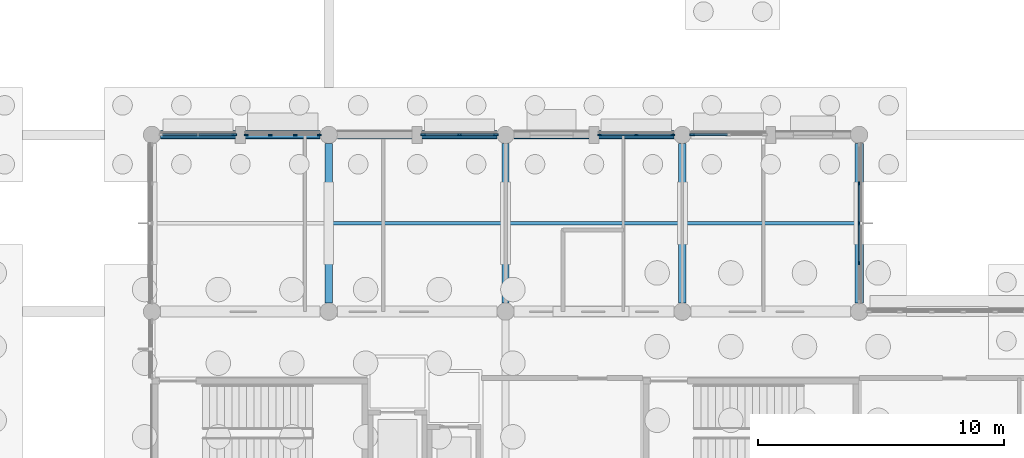
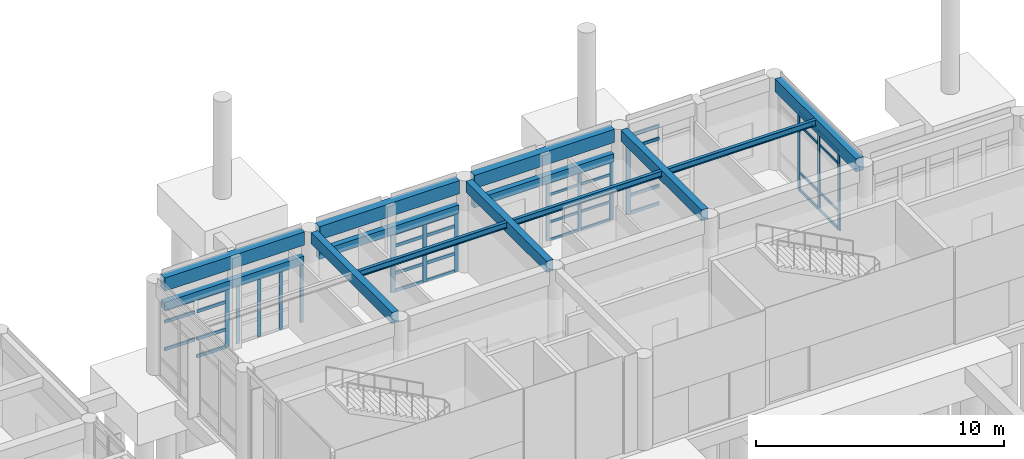
# One storey, part 34 of 103: 50 members, 13 beams, 6 elements without a shape of their own.
"""IFC4 building model written with IfcOpenShell, lengths in metres."""

from ifc_helpers import new_model, si_unit, direction, frame, origin, origin_2d, place, context, subcontext, project, spatial, rectangle, i_section, extrude, material, layer, layer_set, material_profile, profile_set, type_object, element, aggregate, save


model = new_model("IFC4")

# Units and contexts
model_context = context("Model", 3, precision=1e-05, world=origin(), true_north=direction((0.0, 1.0)))
body_context = subcontext(model_context, "Body", "Model", "MODEL_VIEW")
ifc_project = project(units=[si_unit("LENGTHUNIT", "METRE"), si_unit("AREAUNIT", "SQUARE_METRE"), si_unit("VOLUMEUNIT", "CUBIC_METRE"), si_unit("PLANEANGLEUNIT", "RADIAN"), si_unit("MASSUNIT", "GRAM", prefix="KILO")], contexts=[model_context])

# Site, building, storey
site_placement = place(None, origin())
site = spatial("IfcSite", under=ifc_project, at=site_placement, CompositionType="ELEMENT")
building_placement = place(site_placement, origin())
building = spatial("IfcBuilding", under=site, at=building_placement, Name="Namkhue Oval Health Centre", CompositionType="ELEMENT")
storey_placement = place(building_placement, origin())
storey = spatial("IfcBuildingStorey", under=building, at=storey_placement, Name="L00", CompositionType="ELEMENT", Elevation=0.0)

# Curtain wall, members
ifc_material_1 = material(Name="Anodised aluminium EN AW-6063 T6", Category="aluminium")
ifc_layer_1 = layer(ifc_material_1, 0.159912109375)
ifc_layer_set_1 = layer_set([ifc_layer_1], Name="Anodised aluminium EN AW-6063 T6")
curtain_wall_type_1 = type_object("IfcCurtainWallType", Name="UNITISED CURTAIN WALL M1500", PredefinedType="NOTDEFINED", material=ifc_layer_set_1)
curtain_wall_1_placement = place(storey_placement, origin())
curtain_wall_1 = element("IfcCurtainWall", 1, at=curtain_wall_1_placement, inside=storey, type_object=curtain_wall_type_1, Name="Volume V3 L00 Unitised Curtain Wall 93", PredefinedType="NOTDEFINED")
ifc_material_profile_1 = material_profile(ifc_material_1, rectangle(XDim=0.06494140625, YDim=0.159912109375, at=origin_2d()), Name="ALU 65x160")
ifc_profile_set_1 = profile_set([ifc_material_profile_1], Name="Anodised aluminium EN AW-6063 T6")
member_type_1 = type_object("IfcMemberType", Name="CURTAIN WALL MULLION 65X160", PredefinedType="MULLION", material=ifc_profile_set_1)
member_1_placement = place(storey_placement, frame((122.39990234375, 99.179931640625, 0.0), z_axis=(0.0, 0.0, 1.0), x_axis=(-1.0, 0.0, 0.0)))
member_1 = element("IfcMember", 2, at=member_1_placement, type_object=member_type_1, Name="CW-03 mullion 2", PredefinedType="MULLION", context=body_context, shape_type="SweptSolid", body=[
    extrude(rectangle(XDim=0.06494140625, YDim=0.159912109375, at=origin_2d()), origin(), (0.0, 0.0, 1.0), 3.885009765625),
])
member_2_placement = place(storey_placement, frame((122.39990234375, 100.800048828125, 0.0), z_axis=(0.0, 0.0, 1.0), x_axis=(-1.0, 0.0, 0.0)))
member_2 = element("IfcMember", 3, at=member_2_placement, type_object=member_type_1, Name="CW-03 mullion 3", PredefinedType="MULLION", context=body_context, shape_type="SweptSolid", body=[
    extrude(rectangle(XDim=0.06494140625, YDim=0.159912109375, at=origin_2d()), origin(), (0.0, 0.0, 1.0), 3.885009765625),
])
member_3_placement = place(storey_placement, frame((122.39990234375, 102.419921875, 0.0), z_axis=(0.0, 0.0, 1.0), x_axis=(-1.0, 0.0, 0.0)))
member_3 = element("IfcMember", 4, at=member_3_placement, type_object=member_type_1, Name="CW-03 mullion 4", PredefinedType="MULLION", context=body_context, shape_type="SweptSolid", body=[
    extrude(rectangle(XDim=0.06494140625, YDim=0.159912109375, at=origin_2d()), origin(), (0.0, 0.0, 1.0), 3.885009765625),
])

ifc_layer_2 = layer(ifc_material_1, 0.159912109375)
ifc_layer_set_2 = layer_set([ifc_layer_2], Name="Anodised aluminium EN AW-6063 T6")
curtain_wall_type_2 = type_object("IfcCurtainWallType", Name="UNITISED CURTAIN WALL M1800", PredefinedType="NOTDEFINED", material=ifc_layer_set_2)
curtain_wall_2_placement = place(storey_placement, origin())
curtain_wall_2 = element("IfcCurtainWall", 5, at=curtain_wall_2_placement, inside=storey, type_object=curtain_wall_type_2, Name="Volume V3 L00 Unitised Curtain Wall 95", PredefinedType="NOTDEFINED")
member_4_placement = place(storey_placement, frame((114.8076171875, 104.39990234375, 0.0), z_axis=(0.0, 0.0, 1.0), x_axis=(0.0, -1.0, 0.0)))
member_4 = element("IfcMember", 6, at=member_4_placement, type_object=member_type_1, Name="CW-05 mullion 1", PredefinedType="MULLION", context=body_context, shape_type="SweptSolid", body=[
    extrude(rectangle(XDim=0.06494140625, YDim=0.159912109375, at=origin_2d()), origin(), (0.0, 0.0, 1.0), 2.89990234375),
])
member_5_placement = place(storey_placement, frame((113.325439453125, 104.39990234375, 0.0), z_axis=(0.0, 0.0, 1.0), x_axis=(0.0, -1.0, 0.0)))
member_5 = element("IfcMember", 7, at=member_5_placement, type_object=member_type_1, Name="CW-05 mullion 2", PredefinedType="MULLION", context=body_context, shape_type="SweptSolid", body=[
    extrude(rectangle(XDim=0.06494140625, YDim=0.159912109375, at=origin_2d()), origin(), (0.0, 0.0, 1.0), 2.89990234375),
])
member_6_placement = place(storey_placement, frame((111.843505859375, 104.39990234375, 0.0), z_axis=(0.0, 0.0, 1.0), x_axis=(0.0, -1.0, 0.0)))
member_6 = element("IfcMember", 8, at=member_6_placement, type_object=member_type_1, Name="CW-05 mullion 3", PredefinedType="MULLION", context=body_context, shape_type="SweptSolid", body=[
    extrude(rectangle(XDim=0.06494140625, YDim=0.159912109375, at=origin_2d()), origin(), (0.0, 0.0, 1.0), 2.89990234375),
])

ifc_layer_3 = layer(ifc_material_1, 0.159912109375)
ifc_layer_set_3 = layer_set([ifc_layer_3], Name="Anodised aluminium EN AW-6063 T6")
curtain_wall_type_3 = type_object("IfcCurtainWallType", Name="UNITISED CURTAIN WALL M1200", PredefinedType="NOTDEFINED", material=ifc_layer_set_3)
curtain_wall_3_placement = place(storey_placement, origin())
curtain_wall_3 = element("IfcCurtainWall", 9, at=curtain_wall_3_placement, inside=storey, type_object=curtain_wall_type_3, Name="Volume V3 L00 Unitised Curtain Wall 97", PredefinedType="NOTDEFINED")
member_7_placement = place(storey_placement, frame((100.407470703125, 104.39990234375, 0.0), z_axis=(0.0, 0.0, 1.0), x_axis=(0.0, -1.0, 0.0)))
member_7 = element("IfcMember", 10, at=member_7_placement, type_object=member_type_1, Name="CW-01 mullion 1", PredefinedType="MULLION", context=body_context, shape_type="SweptSolid", body=[
    extrude(rectangle(XDim=0.06494140625, YDim=0.159912109375, at=origin_2d()), origin(), (0.0, 0.0, 1.0), 2.89990234375),
])
member_8_placement = place(storey_placement, frame((99.430419921875, 104.39990234375, 0.0), z_axis=(0.0, 0.0, 1.0), x_axis=(0.0, -1.0, 0.0)))
member_8 = element("IfcMember", 11, at=member_8_placement, type_object=member_type_1, Name="CW-01 mullion 2", PredefinedType="MULLION", context=body_context, shape_type="SweptSolid", body=[
    extrude(rectangle(XDim=0.06494140625, YDim=0.159912109375, at=origin_2d()), origin(), (0.0, 0.0, 1.0), 2.89990234375),
])
member_9_placement = place(storey_placement, frame((98.420654296875, 104.39990234375, 0.0), z_axis=(0.0, 0.0, 1.0), x_axis=(0.0, -1.0, 0.0)))
member_9 = element("IfcMember", 12, at=member_9_placement, type_object=member_type_1, Name="CW-01 mullion 3", PredefinedType="MULLION", context=body_context, shape_type="SweptSolid", body=[
    extrude(rectangle(XDim=0.06494140625, YDim=0.159912109375, at=origin_2d()), origin(), (0.0, 0.0, 1.0), 2.89990234375),
])
member_10_placement = place(storey_placement, frame((97.443603515625, 104.39990234375, 0.0), z_axis=(0.0, 0.0, 1.0), x_axis=(0.0, -1.0, 0.0)))
member_10 = element("IfcMember", 13, at=member_10_placement, type_object=member_type_1, Name="CW-01 mullion 4", PredefinedType="MULLION", context=body_context, shape_type="SweptSolid", body=[
    extrude(rectangle(XDim=0.06494140625, YDim=0.159912109375, at=origin_2d()), origin(), (0.0, 0.0, 1.0), 2.89990234375),
])
aggregate(curtain_wall_3, [member_7, member_8, member_9, member_10])

# Curtain wall, member
ifc_layer_4 = layer(ifc_material_1, 0.159912109375)
ifc_layer_set_4 = layer_set([ifc_layer_4], Name="Anodised aluminium EN AW-6063 T6")
curtain_wall_type_4 = type_object("IfcCurtainWallType", Name="UNITISED CURTAIN WALL M1600", PredefinedType="NOTDEFINED", material=ifc_layer_set_4)
curtain_wall_4_placement = place(storey_placement, origin())
curtain_wall_4 = element("IfcCurtainWall", 14, at=curtain_wall_4_placement, inside=storey, type_object=curtain_wall_type_4, Name="Volume V3 L00 Unitised Curtain Wall 94", PredefinedType="NOTDEFINED")
ifc_material_profile_2 = material_profile(ifc_material_1, rectangle(XDim=0.074951171875, YDim=0.199951171875, at=origin_2d()), Name="ALU 75x200")
ifc_profile_set_2 = profile_set([ifc_material_profile_2], Name="Anodised aluminium EN AW-6063 T6")
member_type_2 = type_object("IfcMemberType", Name="CURTAIN WALL MULLION 75X200", PredefinedType="MULLION", material=ifc_profile_set_2)
member_11_placement = place(storey_placement, frame((115.597412109375, 104.39990234375, 0.0), z_axis=(0.0, 0.0, 1.0), x_axis=(0.0, -1.0, 0.0)))
member_11 = element("IfcMember", 15, at=member_11_placement, type_object=member_type_2, Name="CW-04 mullion 3", PredefinedType="MULLION", context=body_context, shape_type="SweptSolid", body=[
    extrude(rectangle(XDim=0.074951171875, YDim=0.199951171875, at=origin_2d()), origin(), (0.0, 0.0, 1.0), 3.885009765625),
])

# Curtain wall, members
ifc_layer_5 = layer(ifc_material_1, 0.159912109375)
ifc_layer_set_5 = layer_set([ifc_layer_5], Name="Anodised aluminium EN AW-6063 T6")
curtain_wall_type_5 = type_object("IfcCurtainWallType", Name="UNITISED CURTAIN WALL M2000", PredefinedType="NOTDEFINED", material=ifc_layer_set_5)
curtain_wall_5_placement = place(storey_placement, origin())
curtain_wall_5 = element("IfcCurtainWall", 16, at=curtain_wall_5_placement, inside=storey, type_object=curtain_wall_type_5, Name="Volume V3 L00 Unitised Curtain Wall 96", PredefinedType="NOTDEFINED")
member_12_placement = place(storey_placement, frame((107.6025390625, 104.39990234375, 0.0), z_axis=(0.0, 0.0, 1.0), x_axis=(0.0, -1.0, 0.0)))
member_12 = element("IfcMember", 17, at=member_12_placement, type_object=member_type_2, Name="CW-06 mullion 1", PredefinedType="MULLION", context=body_context, shape_type="SweptSolid", body=[
    extrude(rectangle(XDim=0.074951171875, YDim=0.199951171875, at=origin_2d()), origin(), (0.0, 0.0, 1.0), 2.89990234375),
])
member_13_placement = place(storey_placement, frame((106.12548828125, 104.39990234375, 0.0), z_axis=(0.0, 0.0, 1.0), x_axis=(0.0, -1.0, 0.0)))
member_13 = element("IfcMember", 18, at=member_13_placement, type_object=member_type_2, Name="CW-06 mullion 2", PredefinedType="MULLION", context=body_context, shape_type="SweptSolid", body=[
    extrude(rectangle(XDim=0.074951171875, YDim=0.199951171875, at=origin_2d()), origin(), (0.0, 0.0, 1.0), 2.89990234375),
])
member_14_placement = place(storey_placement, frame((104.6484375, 104.39990234375, 0.0), z_axis=(0.0, 0.0, 1.0), x_axis=(0.0, -1.0, 0.0)))
member_14 = element("IfcMember", 19, at=member_14_placement, type_object=member_type_2, Name="CW-06 mullion 3", PredefinedType="MULLION", context=body_context, shape_type="SweptSolid", body=[
    extrude(rectangle(XDim=0.074951171875, YDim=0.199951171875, at=origin_2d()), origin(), (0.0, 0.0, 1.0), 2.89990234375),
])

# Curtain wall, member
ifc_layer_6 = layer(ifc_material_1, 0.159912109375)
ifc_layer_set_6 = layer_set([ifc_layer_6], Name="Anodised aluminium EN AW-6063 T6")
curtain_wall_type_6 = type_object("IfcCurtainWallType", Name="UNITISED CURTAIN WALL M1350", PredefinedType="NOTDEFINED", material=ifc_layer_set_6)
curtain_wall_6_placement = place(storey_placement, origin())
curtain_wall_6 = element("IfcCurtainWall", 20, at=curtain_wall_6_placement, inside=storey, type_object=curtain_wall_type_6, Name="Volume V3 L00 Unitised Curtain Wall 98", PredefinedType="NOTDEFINED")
member_15_placement = place(storey_placement, frame((96.951416015625, 104.39990234375, 0.0), z_axis=(0.0, 0.0, 1.0), x_axis=(0.0, -1.0, 0.0)))
member_15 = element("IfcMember", 21, at=member_15_placement, type_object=member_type_2, Name="CW-02 mullion 1", PredefinedType="MULLION", context=body_context, shape_type="SweptSolid", body=[
    extrude(rectangle(XDim=0.074951171875, YDim=0.199951171875, at=origin_2d()), origin(), (0.0, 0.0, 1.0), 2.89990234375),
])

# Member
ifc_material_profile_3 = material_profile(ifc_material_1, rectangle(XDim=0.06494140625, YDim=0.1201171875, at=origin_2d()), Name="ALU 65x120")
ifc_profile_set_3 = profile_set([ifc_material_profile_3], Name="Anodised aluminium EN AW-6063 T6")
member_type_3 = type_object("IfcMemberType", Name="CURTAIN WALL TRANSOM 65X120", PredefinedType="USERDEFINED", material=ifc_profile_set_3)
member_16_placement = place(storey_placement, frame((122.39990234375, 99.21240234375, 0.032470703125), z_axis=(0.0, 1.0, 0.0), x_axis=(-1.0, 0.0, 0.0)))
member_16 = element("IfcMember", 22, at=member_16_placement, type_object=member_type_3, Name="CW-03 transom 2.1", ObjectType="TRANSOM", PredefinedType="USERDEFINED", context=body_context, shape_type="SweptSolid", body=[
    extrude(rectangle(XDim=0.06494140625, YDim=0.1201171875, at=origin_2d()), origin(), (0.0, 0.0, 1.0), 1.55517578125),
])

member_17_placement = place(storey_placement, frame((122.39990234375, 99.21240234375, 0.89990234375), z_axis=(0.0, 1.0, 0.0), x_axis=(-1.0, 0.0, 0.0)))
member_17 = element("IfcMember", 23, at=member_17_placement, type_object=member_type_3, Name="CW-03 transom 2.2", ObjectType="TRANSOM", PredefinedType="USERDEFINED", context=body_context, shape_type="SweptSolid", body=[
    extrude(rectangle(XDim=0.06494140625, YDim=0.1201171875, at=origin_2d()), origin(), (0.0, 0.0, 1.0), 1.55517578125),
])

member_18_placement = place(storey_placement, frame((122.39990234375, 99.21240234375, 3.235107421875), z_axis=(0.0, 1.0, 0.0), x_axis=(-1.0, 0.0, 0.0)))
member_18 = element("IfcMember", 24, at=member_18_placement, type_object=member_type_3, Name="CW-03 transom 2.3", ObjectType="TRANSOM", PredefinedType="USERDEFINED", context=body_context, shape_type="SweptSolid", body=[
    extrude(rectangle(XDim=0.06494140625, YDim=0.1201171875, at=origin_2d()), origin(), (0.0, 0.0, 1.0), 1.55517578125),
])

member_19_placement = place(storey_placement, frame((122.39990234375, 99.21240234375, 3.8525390625), z_axis=(0.0, 1.0, 0.0), x_axis=(-1.0, 0.0, 0.0)))
member_19 = element("IfcMember", 25, at=member_19_placement, type_object=member_type_3, Name="CW-03 transom 2.4", ObjectType="TRANSOM", PredefinedType="USERDEFINED", context=body_context, shape_type="SweptSolid", body=[
    extrude(rectangle(XDim=0.06494140625, YDim=0.1201171875, at=origin_2d()), origin(), (0.0, 0.0, 1.0), 1.55517578125),
])

member_20_placement = place(storey_placement, frame((122.39990234375, 100.83251953125, 0.032470703125), z_axis=(0.0, 1.0, 0.0), x_axis=(-1.0, 0.0, 0.0)))
member_20 = element("IfcMember", 26, at=member_20_placement, type_object=member_type_3, Name="CW-03 transom 3.1", ObjectType="TRANSOM", PredefinedType="USERDEFINED", context=body_context, shape_type="SweptSolid", body=[
    extrude(rectangle(XDim=0.06494140625, YDim=0.1201171875, at=origin_2d()), origin(), (0.0, 0.0, 1.0), 1.554931640625),
])

member_21_placement = place(storey_placement, frame((122.39990234375, 100.83251953125, 0.89990234375), z_axis=(0.0, 1.0, 0.0), x_axis=(-1.0, 0.0, 0.0)))
member_21 = element("IfcMember", 27, at=member_21_placement, type_object=member_type_3, Name="CW-03 transom 3.2", ObjectType="TRANSOM", PredefinedType="USERDEFINED", context=body_context, shape_type="SweptSolid", body=[
    extrude(rectangle(XDim=0.06494140625, YDim=0.1201171875, at=origin_2d()), origin(), (0.0, 0.0, 1.0), 1.554931640625),
])

member_22_placement = place(storey_placement, frame((122.39990234375, 100.83251953125, 3.235107421875), z_axis=(0.0, 1.0, 0.0), x_axis=(-1.0, 0.0, 0.0)))
member_22 = element("IfcMember", 28, at=member_22_placement, type_object=member_type_3, Name="CW-03 transom 3.3", ObjectType="TRANSOM", PredefinedType="USERDEFINED", context=body_context, shape_type="SweptSolid", body=[
    extrude(rectangle(XDim=0.06494140625, YDim=0.1201171875, at=origin_2d()), origin(), (0.0, 0.0, 1.0), 1.554931640625),
])

member_23_placement = place(storey_placement, frame((122.39990234375, 100.83251953125, 3.8525390625), z_axis=(0.0, 1.0, 0.0), x_axis=(-1.0, 0.0, 0.0)))
member_23 = element("IfcMember", 29, at=member_23_placement, type_object=member_type_3, Name="CW-03 transom 3.4", ObjectType="TRANSOM", PredefinedType="USERDEFINED", context=body_context, shape_type="SweptSolid", body=[
    extrude(rectangle(XDim=0.06494140625, YDim=0.1201171875, at=origin_2d()), origin(), (0.0, 0.0, 1.0), 1.554931640625),
])

aggregate(curtain_wall_1, [member_1, member_2, member_3, member_16, member_17, member_18, member_19, member_20, member_21, member_22, member_23])

member_24_placement = place(storey_placement, frame((114.77490234375, 104.39990234375, 0.032470703125), z_axis=(-1.0, 0.0, 0.0), x_axis=(0.0, -1.0, 0.0)))
member_24 = element("IfcMember", 30, at=member_24_placement, type_object=member_type_3, Name="CW-05 transom 1.1", ObjectType="TRANSOM", PredefinedType="USERDEFINED", context=body_context, shape_type="SweptSolid", body=[
    extrude(rectangle(XDim=0.06494140625, YDim=0.1201171875, at=origin_2d()), origin(), (0.0, 0.0, 1.0), 1.4169921875),
])

member_25_placement = place(storey_placement, frame((114.77490234375, 104.39990234375, 0.89990234375), z_axis=(-1.0, 0.0, 0.0), x_axis=(0.0, -1.0, 0.0)))
member_25 = element("IfcMember", 31, at=member_25_placement, type_object=member_type_3, Name="CW-05 transom 1.2", ObjectType="TRANSOM", PredefinedType="USERDEFINED", context=body_context, shape_type="SweptSolid", body=[
    extrude(rectangle(XDim=0.06494140625, YDim=0.1201171875, at=origin_2d()), origin(), (0.0, 0.0, 1.0), 1.4169921875),
])

member_26_placement = place(storey_placement, frame((114.77490234375, 104.39990234375, 2.25), z_axis=(-1.0, 0.0, 0.0), x_axis=(0.0, -1.0, 0.0)))
member_26 = element("IfcMember", 32, at=member_26_placement, type_object=member_type_3, Name="CW-05 transom 1.3", ObjectType="TRANSOM", PredefinedType="USERDEFINED", context=body_context, shape_type="SweptSolid", body=[
    extrude(rectangle(XDim=0.06494140625, YDim=0.1201171875, at=origin_2d()), origin(), (0.0, 0.0, 1.0), 1.4169921875),
])

member_27_placement = place(storey_placement, frame((114.77490234375, 104.39990234375, 2.867431640625), z_axis=(-1.0, 0.0, 0.0), x_axis=(0.0, -1.0, 0.0)))
member_27 = element("IfcMember", 33, at=member_27_placement, type_object=member_type_3, Name="CW-05 transom 1.4", ObjectType="TRANSOM", PredefinedType="USERDEFINED", context=body_context, shape_type="SweptSolid", body=[
    extrude(rectangle(XDim=0.06494140625, YDim=0.1201171875, at=origin_2d()), origin(), (0.0, 0.0, 1.0), 1.4169921875),
])

member_28_placement = place(storey_placement, frame((113.29296875, 104.39990234375, 0.032470703125), z_axis=(-1.0, 0.0, 0.0), x_axis=(0.0, -1.0, 0.0)))
member_28 = element("IfcMember", 34, at=member_28_placement, type_object=member_type_3, Name="CW-05 transom 2.1", ObjectType="TRANSOM", PredefinedType="USERDEFINED", context=body_context, shape_type="SweptSolid", body=[
    extrude(rectangle(XDim=0.06494140625, YDim=0.1201171875, at=origin_2d()), origin(), (0.0, 0.0, 1.0), 1.4169921875),
])

member_29_placement = place(storey_placement, frame((113.29296875, 104.39990234375, 0.89990234375), z_axis=(-1.0, 0.0, 0.0), x_axis=(0.0, -1.0, 0.0)))
member_29 = element("IfcMember", 35, at=member_29_placement, type_object=member_type_3, Name="CW-05 transom 2.2", ObjectType="TRANSOM", PredefinedType="USERDEFINED", context=body_context, shape_type="SweptSolid", body=[
    extrude(rectangle(XDim=0.06494140625, YDim=0.1201171875, at=origin_2d()), origin(), (0.0, 0.0, 1.0), 1.4169921875),
])

member_30_placement = place(storey_placement, frame((113.29296875, 104.39990234375, 2.25), z_axis=(-1.0, 0.0, 0.0), x_axis=(0.0, -1.0, 0.0)))
member_30 = element("IfcMember", 36, at=member_30_placement, type_object=member_type_3, Name="CW-05 transom 2.3", ObjectType="TRANSOM", PredefinedType="USERDEFINED", context=body_context, shape_type="SweptSolid", body=[
    extrude(rectangle(XDim=0.06494140625, YDim=0.1201171875, at=origin_2d()), origin(), (0.0, 0.0, 1.0), 1.4169921875),
])

member_31_placement = place(storey_placement, frame((113.29296875, 104.39990234375, 2.867431640625), z_axis=(-1.0, 0.0, 0.0), x_axis=(0.0, -1.0, 0.0)))
member_31 = element("IfcMember", 37, at=member_31_placement, type_object=member_type_3, Name="CW-05 transom 2.4", ObjectType="TRANSOM", PredefinedType="USERDEFINED", context=body_context, shape_type="SweptSolid", body=[
    extrude(rectangle(XDim=0.06494140625, YDim=0.1201171875, at=origin_2d()), origin(), (0.0, 0.0, 1.0), 1.4169921875),
])

aggregate(curtain_wall_2, [member_4, member_5, member_6, member_24, member_25, member_26, member_27, member_28, member_29, member_30, member_31])

ifc_material_profile_4 = material_profile(ifc_material_1, rectangle(XDim=0.074951171875, YDim=0.14990234375, at=origin_2d()), Name="ALU 75x150")
ifc_profile_set_4 = profile_set([ifc_material_profile_4], Name="Anodised aluminium EN AW-6063 T6")
member_type_4 = type_object("IfcMemberType", Name="CURTAIN WALL TRANSOM 75X150", PredefinedType="USERDEFINED", material=ifc_profile_set_4)
member_32_placement = place(storey_placement, frame((117.037109375, 104.39990234375, 0.03759765625), z_axis=(-1.0, 0.0, 0.0), x_axis=(0.0, -1.0, 0.0)))
member_32 = element("IfcMember", 38, at=member_32_placement, type_object=member_type_4, Name="CW-04 transom 2.1", ObjectType="TRANSOM", PredefinedType="USERDEFINED", context=body_context, shape_type="SweptSolid", body=[
    extrude(rectangle(XDim=0.074951171875, YDim=0.14990234375, at=origin_2d()), origin(), (0.0, 0.0, 1.0), 1.402099609375),
])

member_33_placement = place(storey_placement, frame((117.037109375, 104.39990234375, 0.89990234375), z_axis=(-1.0, 0.0, 0.0), x_axis=(0.0, -1.0, 0.0)))
member_33 = element("IfcMember", 39, at=member_33_placement, type_object=member_type_4, Name="CW-04 transom 2.2", ObjectType="TRANSOM", PredefinedType="USERDEFINED", context=body_context, shape_type="SweptSolid", body=[
    extrude(rectangle(XDim=0.074951171875, YDim=0.14990234375, at=origin_2d()), origin(), (0.0, 0.0, 1.0), 1.402099609375),
])

member_34_placement = place(storey_placement, frame((117.037109375, 104.39990234375, 3.235107421875), z_axis=(-1.0, 0.0, 0.0), x_axis=(0.0, -1.0, 0.0)))
member_34 = element("IfcMember", 40, at=member_34_placement, type_object=member_type_4, Name="CW-04 transom 2.3", ObjectType="TRANSOM", PredefinedType="USERDEFINED", context=body_context, shape_type="SweptSolid", body=[
    extrude(rectangle(XDim=0.074951171875, YDim=0.14990234375, at=origin_2d()), origin(), (0.0, 0.0, 1.0), 1.402099609375),
])

member_35_placement = place(storey_placement, frame((117.037109375, 104.39990234375, 3.847412109375), z_axis=(-1.0, 0.0, 0.0), x_axis=(0.0, -1.0, 0.0)))
member_35 = element("IfcMember", 41, at=member_35_placement, type_object=member_type_4, Name="CW-04 transom 2.4", ObjectType="TRANSOM", PredefinedType="USERDEFINED", context=body_context, shape_type="SweptSolid", body=[
    extrude(rectangle(XDim=0.074951171875, YDim=0.14990234375, at=origin_2d()), origin(), (0.0, 0.0, 1.0), 1.402099609375),
])

aggregate(curtain_wall_4, [member_11, member_32, member_33, member_34, member_35])

member_36_placement = place(storey_placement, frame((107.56494140625, 104.39990234375, 0.03759765625), z_axis=(-1.0, 0.0, 0.0), x_axis=(0.0, -1.0, 0.0)))
member_36 = element("IfcMember", 42, at=member_36_placement, type_object=member_type_4, Name="CW-06 transom 1.1", ObjectType="TRANSOM", PredefinedType="USERDEFINED", context=body_context, shape_type="SweptSolid", body=[
    extrude(rectangle(XDim=0.074951171875, YDim=0.14990234375, at=origin_2d()), origin(), (0.0, 0.0, 1.0), 1.40185546875),
])

member_37_placement = place(storey_placement, frame((107.56494140625, 104.39990234375, 0.89990234375), z_axis=(-1.0, 0.0, 0.0), x_axis=(0.0, -1.0, 0.0)))
member_37 = element("IfcMember", 43, at=member_37_placement, type_object=member_type_4, Name="CW-06 transom 1.2", ObjectType="TRANSOM", PredefinedType="USERDEFINED", context=body_context, shape_type="SweptSolid", body=[
    extrude(rectangle(XDim=0.074951171875, YDim=0.14990234375, at=origin_2d()), origin(), (0.0, 0.0, 1.0), 1.40185546875),
])

member_38_placement = place(storey_placement, frame((107.56494140625, 104.39990234375, 2.25), z_axis=(-1.0, 0.0, 0.0), x_axis=(0.0, -1.0, 0.0)))
member_38 = element("IfcMember", 44, at=member_38_placement, type_object=member_type_4, Name="CW-06 transom 1.3", ObjectType="TRANSOM", PredefinedType="USERDEFINED", context=body_context, shape_type="SweptSolid", body=[
    extrude(rectangle(XDim=0.074951171875, YDim=0.14990234375, at=origin_2d()), origin(), (0.0, 0.0, 1.0), 1.40185546875),
])

member_39_placement = place(storey_placement, frame((107.56494140625, 104.39990234375, 2.862548828125), z_axis=(-1.0, 0.0, 0.0), x_axis=(0.0, -1.0, 0.0)))
member_39 = element("IfcMember", 45, at=member_39_placement, type_object=member_type_4, Name="CW-06 transom 1.4", ObjectType="TRANSOM", PredefinedType="USERDEFINED", context=body_context, shape_type="SweptSolid", body=[
    extrude(rectangle(XDim=0.074951171875, YDim=0.14990234375, at=origin_2d()), origin(), (0.0, 0.0, 1.0), 1.40185546875),
])

member_40_placement = place(storey_placement, frame((106.087890625, 104.39990234375, 0.03759765625), z_axis=(-1.0, 0.0, 0.0), x_axis=(0.0, -1.0, 0.0)))
member_40 = element("IfcMember", 46, at=member_40_placement, type_object=member_type_4, Name="CW-06 transom 2.1", ObjectType="TRANSOM", PredefinedType="USERDEFINED", context=body_context, shape_type="SweptSolid", body=[
    extrude(rectangle(XDim=0.074951171875, YDim=0.14990234375, at=origin_2d()), origin(), (0.0, 0.0, 1.0), 1.40185546875),
])

member_41_placement = place(storey_placement, frame((106.087890625, 104.39990234375, 0.89990234375), z_axis=(-1.0, 0.0, 0.0), x_axis=(0.0, -1.0, 0.0)))
member_41 = element("IfcMember", 47, at=member_41_placement, type_object=member_type_4, Name="CW-06 transom 2.2", ObjectType="TRANSOM", PredefinedType="USERDEFINED", context=body_context, shape_type="SweptSolid", body=[
    extrude(rectangle(XDim=0.074951171875, YDim=0.14990234375, at=origin_2d()), origin(), (0.0, 0.0, 1.0), 1.40185546875),
])

member_42_placement = place(storey_placement, frame((106.087890625, 104.39990234375, 2.25), z_axis=(-1.0, 0.0, 0.0), x_axis=(0.0, -1.0, 0.0)))
member_42 = element("IfcMember", 48, at=member_42_placement, type_object=member_type_4, Name="CW-06 transom 2.3", ObjectType="TRANSOM", PredefinedType="USERDEFINED", context=body_context, shape_type="SweptSolid", body=[
    extrude(rectangle(XDim=0.074951171875, YDim=0.14990234375, at=origin_2d()), origin(), (0.0, 0.0, 1.0), 1.40185546875),
])

member_43_placement = place(storey_placement, frame((106.087890625, 104.39990234375, 2.862548828125), z_axis=(-1.0, 0.0, 0.0), x_axis=(0.0, -1.0, 0.0)))
member_43 = element("IfcMember", 49, at=member_43_placement, type_object=member_type_4, Name="CW-06 transom 2.4", ObjectType="TRANSOM", PredefinedType="USERDEFINED", context=body_context, shape_type="SweptSolid", body=[
    extrude(rectangle(XDim=0.074951171875, YDim=0.14990234375, at=origin_2d()), origin(), (0.0, 0.0, 1.0), 1.40185546875),
])

aggregate(curtain_wall_5, [member_12, member_13, member_14, member_36, member_37, member_38, member_39, member_40, member_41, member_42, member_43])

member_44_placement = place(storey_placement, frame((96.9140625, 104.39990234375, 0.03759765625), z_axis=(-1.0, 0.0, 0.0), x_axis=(0.0, -1.0, 0.0)))
member_44 = element("IfcMember", 50, at=member_44_placement, type_object=member_type_4, Name="CW-02 transom 1.1", ObjectType="TRANSOM", PredefinedType="USERDEFINED", context=body_context, shape_type="SweptSolid", body=[
    extrude(rectangle(XDim=0.074951171875, YDim=0.14990234375, at=origin_2d()), origin(), (0.0, 0.0, 1.0), 1.402099609375),
])

member_45_placement = place(storey_placement, frame((96.9140625, 104.39990234375, 0.89990234375), z_axis=(-1.0, 0.0, 0.0), x_axis=(0.0, -1.0, 0.0)))
member_45 = element("IfcMember", 51, at=member_45_placement, type_object=member_type_4, Name="CW-02 transom 1.2", ObjectType="TRANSOM", PredefinedType="USERDEFINED", context=body_context, shape_type="SweptSolid", body=[
    extrude(rectangle(XDim=0.074951171875, YDim=0.14990234375, at=origin_2d()), origin(), (0.0, 0.0, 1.0), 1.402099609375),
])

member_46_placement = place(storey_placement, frame((96.9140625, 104.39990234375, 2.25), z_axis=(-1.0, 0.0, 0.0), x_axis=(0.0, -1.0, 0.0)))
member_46 = element("IfcMember", 52, at=member_46_placement, type_object=member_type_4, Name="CW-02 transom 1.3", ObjectType="TRANSOM", PredefinedType="USERDEFINED", context=body_context, shape_type="SweptSolid", body=[
    extrude(rectangle(XDim=0.074951171875, YDim=0.14990234375, at=origin_2d()), origin(), (0.0, 0.0, 1.0), 1.402099609375),
])

member_47_placement = place(storey_placement, frame((96.9140625, 104.39990234375, 2.862548828125), z_axis=(-1.0, 0.0, 0.0), x_axis=(0.0, -1.0, 0.0)))
member_47 = element("IfcMember", 53, at=member_47_placement, type_object=member_type_4, Name="CW-02 transom 1.4", ObjectType="TRANSOM", PredefinedType="USERDEFINED", context=body_context, shape_type="SweptSolid", body=[
    extrude(rectangle(XDim=0.074951171875, YDim=0.14990234375, at=origin_2d()), origin(), (0.0, 0.0, 1.0), 1.402099609375),
])

member_48_placement = place(storey_placement, frame((95.43701171875, 104.39990234375, 0.89990234375), z_axis=(-1.0, 0.0, 0.0), x_axis=(0.0, -1.0, 0.0)))
member_48 = element("IfcMember", 54, at=member_48_placement, type_object=member_type_4, Name="CW-02 transom 2.2", ObjectType="TRANSOM", PredefinedType="USERDEFINED", context=body_context, shape_type="SweptSolid", body=[
    extrude(rectangle(XDim=0.074951171875, YDim=0.14990234375, at=origin_2d()), origin(), (0.0, 0.0, 1.0), 1.402099609375),
])

member_49_placement = place(storey_placement, frame((95.43701171875, 104.39990234375, 2.25), z_axis=(-1.0, 0.0, 0.0), x_axis=(0.0, -1.0, 0.0)))
member_49 = element("IfcMember", 55, at=member_49_placement, type_object=member_type_4, Name="CW-02 transom 2.3", ObjectType="TRANSOM", PredefinedType="USERDEFINED", context=body_context, shape_type="SweptSolid", body=[
    extrude(rectangle(XDim=0.074951171875, YDim=0.14990234375, at=origin_2d()), origin(), (0.0, 0.0, 1.0), 1.402099609375),
])

member_50_placement = place(storey_placement, frame((95.43701171875, 104.39990234375, 2.862548828125), z_axis=(-1.0, 0.0, 0.0), x_axis=(0.0, -1.0, 0.0)))
member_50 = element("IfcMember", 56, at=member_50_placement, type_object=member_type_4, Name="CW-02 transom 2.4", ObjectType="TRANSOM", PredefinedType="USERDEFINED", context=body_context, shape_type="SweptSolid", body=[
    extrude(rectangle(XDim=0.074951171875, YDim=0.14990234375, at=origin_2d()), origin(), (0.0, 0.0, 1.0), 1.402099609375),
])

aggregate(curtain_wall_6, [member_15, member_44, member_45, member_46, member_47, member_48, member_49, member_50])

# Beams
ifc_material_2 = material(Name="Reinforced concrete C30/37 (TCVN B35)", Category="concrete")
ifc_material_profile_5 = material_profile(ifc_material_2, rectangle(XDim=0.300048828125, YDim=0.550048828125, at=origin_2d()), Name="RC 300x550")
ifc_profile_set_5 = profile_set([ifc_material_profile_5], Name="Reinforced concrete C30/37 (TCVN B35)")
beam_type_1 = type_object("IfcBeamType", Name="FLOOR BEAM RC 300X550", PredefinedType="BEAM", material=ifc_profile_set_5)
for number, where, z_axis, x_axis, name in (
    (57, (100.800048828125, 97.550048828125, 4.260009765625), (0.0, 1.0, 0.0), (-1.0, 0.0, 0.0), "Volume V3 L01 Beam 15/O-P"),
    (58, (108.0, 97.550048828125, 4.260009765625), (0.0, 1.0, 0.0), (-1.0, 0.0, 0.0), "Volume V3 L01 Beam 16/O-P"),
    (59, (115.199951171875, 97.550048828125, 4.260009765625), (0.0, 1.0, 0.0), (-1.0, 0.0, 0.0), "Volume V3 L01 Beam 17/O-P"),
):
    element("IfcBeam", number, at=place(storey_placement, frame(where, z_axis=z_axis, x_axis=x_axis)), inside=storey, type_object=beam_type_1, Name=name, PredefinedType="BEAM", context=body_context, shape_type="SweptSolid", body=[
        extrude(rectangle(XDim=0.300048828125, YDim=0.550048828125, at=origin_2d()), origin(), (0.0, 0.0, 1.0), 6.5),
    ])
ifc_material_profile_6 = material_profile(ifc_material_2, rectangle(XDim=0.25, YDim=0.39990234375, at=origin_2d()), Name="RC 250x400")
ifc_profile_set_6 = profile_set([ifc_material_profile_6], Name="Reinforced concrete C30/37 (TCVN B35)")
beam_type_2 = type_object("IfcBeamType", Name="OPENING LINTEL BEAM 250X400", PredefinedType="LINTEL", material=ifc_profile_set_6)
for number, where, z_axis, x_axis, name in (
    (60, (93.949951171875, 104.39990234375, 3.10009765625), (1.0, 0.0, 0.0), (0.0, 1.0, 0.0), "Volume V3 L00 Portal Lintel Beam 4"),
    (61, (101.14990234375, 104.39990234375, 3.10009765625), (1.0, 0.0, 0.0), (0.0, 1.0, 0.0), "Volume V3 L00 Portal Lintel Beam 5"),
    (62, (108.35009765625, 104.39990234375, 3.10009765625), (1.0, 0.0, 0.0), (0.0, 1.0, 0.0), "Volume V3 L00 Portal Lintel Beam 6"),
):
    element("IfcBeam", number, at=place(storey_placement, frame(where, z_axis=z_axis, x_axis=x_axis)), inside=storey, type_object=beam_type_2, Name=name, PredefinedType="LINTEL", context=body_context, shape_type="SweptSolid", body=[
        extrude(rectangle(XDim=0.25, YDim=0.39990234375, at=origin_2d()), origin(), (0.0, 0.0, 1.0), 6.5),
    ])
ifc_material_3 = material(Name="Reinforced concrete C35/45 (TCVN B40)", Category="concrete")
ifc_material_profile_7 = material_profile(ifc_material_3, rectangle(XDim=0.35009765625, YDim=0.64990234375, at=origin_2d()), Name="RC 350x650")
ifc_profile_set_7 = profile_set([ifc_material_profile_7], Name="Reinforced concrete C35/45 (TCVN B40)")
beam_type_3 = type_object("IfcBeamType", Name="PERIMETER SPANDREL BEAM 350X650", PredefinedType="SPANDREL", material=ifc_profile_set_7)
for number, where, z_axis, x_axis, name in (
    (63, (93.949951171875, 104.39990234375, 4.2099609375), (1.0, 0.0, 0.0), (0.0, 1.0, 0.0), "Volume V3 L01 Girder P/14-15"),
    (64, (101.14990234375, 104.39990234375, 4.2099609375), (1.0, 0.0, 0.0), (0.0, 1.0, 0.0), "Volume V3 L01 Girder P/15-16"),
    (65, (108.35009765625, 104.39990234375, 4.2099609375), (1.0, 0.0, 0.0), (0.0, 1.0, 0.0), "Volume V3 L01 Girder P/16-17"),
    (66, (122.39990234375, 97.550048828125, 4.2099609375), (0.0, 1.0, 0.0), (-1.0, 0.0, 0.0), "Volume V3 L01 Beam 18/O-P"),
):
    element("IfcBeam", number, at=place(storey_placement, frame(where, z_axis=z_axis, x_axis=x_axis)), inside=storey, type_object=beam_type_3, Name=name, PredefinedType="SPANDREL", context=body_context, shape_type="SweptSolid", body=[
        extrude(rectangle(XDim=0.35009765625, YDim=0.64990234375, at=origin_2d()), origin(), (0.0, 0.0, 1.0), 6.5),
    ])
ifc_material_4 = material(Name="Structural steel EN 10025-2 S355JR (TCVN 5575:2024)", Category="steel")
ifc_material_profile_8 = material_profile(ifc_material_4, i_section(OverallWidth=0.14990234375, OverallDepth=0.300048828125, WebThickness=0.007080078125, FlangeThickness=0.0107421875, FilletRadius=0.014892578125, at=origin_2d()), Name="IPE 300")
ifc_profile_set_8 = profile_set([ifc_material_profile_8], Name="Structural steel EN 10025-2 S355JR (TCVN 5575:2024)")
beam_type_4 = type_object("IfcBeamType", Name="SECONDARY JOIST STEEL IPE 300", PredefinedType="JOIST", material=ifc_profile_set_8)
for number, where, z_axis, x_axis, name in (
    (67, (100.949951171875, 100.800048828125, 4.385009765625), (1.0, 0.0, 0.0), (0.0, 1.0, 0.0), "Volume V3 L01 Secondary Joist 15-16"),
    (68, (108.14990234375, 100.800048828125, 4.385009765625), (1.0, 0.0, 0.0), (0.0, 1.0, 0.0), "Volume V3 L01 Secondary Joist 16-17"),
):
    element("IfcBeam", number, at=place(storey_placement, frame(where, z_axis=z_axis, x_axis=x_axis)), inside=storey, type_object=beam_type_4, Name=name, PredefinedType="JOIST", context=body_context, shape_type="SweptSolid", body=[
        extrude(i_section(OverallWidth=0.14990234375, OverallDepth=0.300048828125, WebThickness=0.007080078125, FlangeThickness=0.0107421875, FilletRadius=0.014892578125, at=origin_2d()), origin(), (0.0, 0.0, 1.0), 6.900146484375),
    ])
beam_placement = place(storey_placement, frame((115.35009765625, 100.800048828125, 4.385009765625), z_axis=(1.0, 0.0, 0.0), x_axis=(0.0, 1.0, 0.0)))
element("IfcBeam", 69, at=beam_placement, inside=storey, type_object=beam_type_4, Name="Volume V3 L01 Secondary Joist 17-18", PredefinedType="JOIST", context=body_context, shape_type="SweptSolid", body=[
    extrude(i_section(OverallWidth=0.14990234375, OverallDepth=0.300048828125, WebThickness=0.007080078125, FlangeThickness=0.0107421875, FilletRadius=0.014892578125, at=origin_2d()), origin(), (0.0, 0.0, 1.0), 6.875),
])

save(model, "model.ifc")
